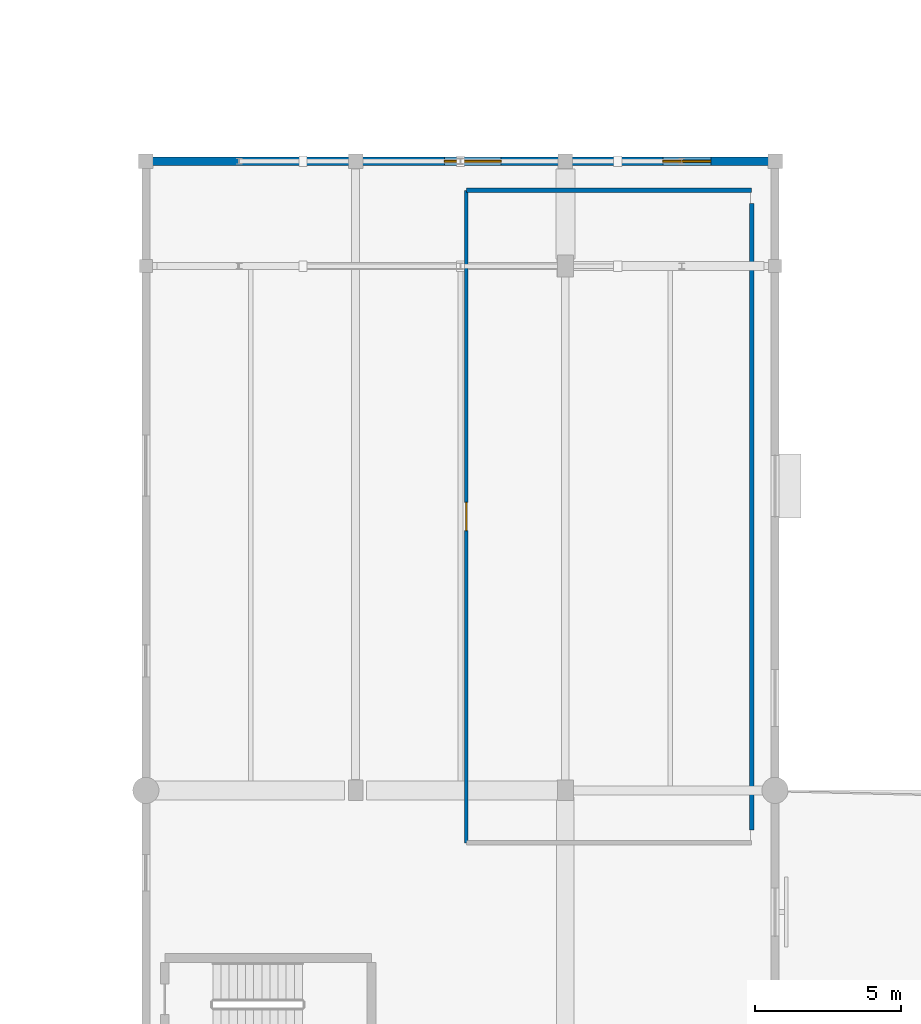
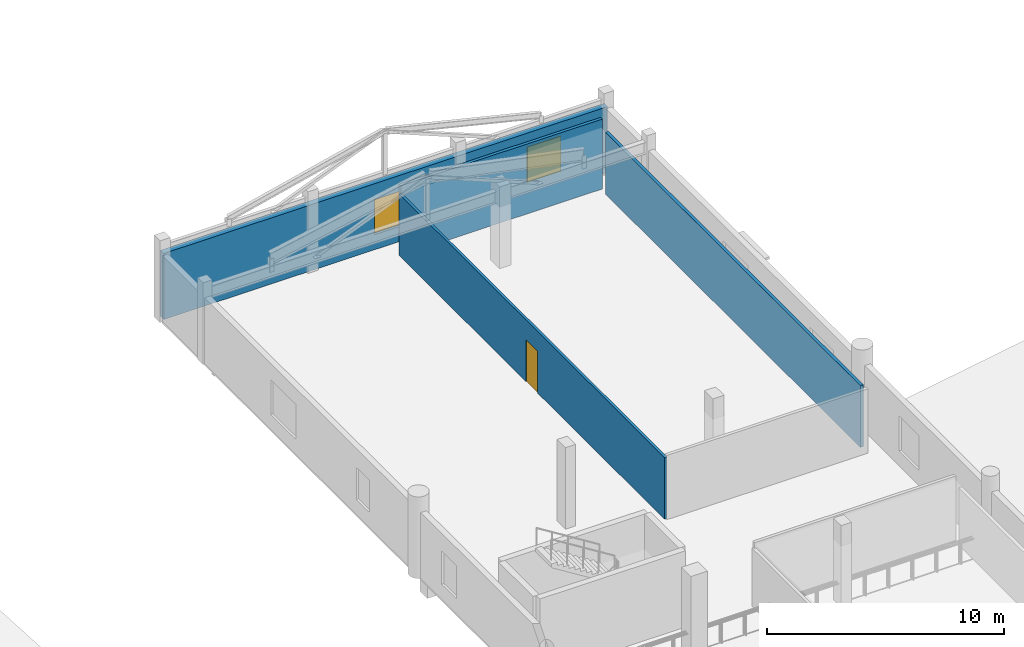
# One storey, part 77 of 90: 4 walls, 2 windows, 1 door, 3 openings.
"""IFC4 building model written with IfcOpenShell, lengths in metres."""

from ifc_helpers import new_model, si_unit, direction, frame, frame_2d, origin, place, context, subcontext, project, spatial, rectangle, extrude, material, layer, layer_set, type_object, element, fill, save


model = new_model("IFC4")

# Units and contexts
model_context = context("Model", 3, precision=1e-05, world=origin(), true_north=direction((0.0, 1.0)))
body_context = subcontext(model_context, "Body", "Model", "MODEL_VIEW")
ifc_project = project(units=[si_unit("LENGTHUNIT", "METRE"), si_unit("AREAUNIT", "SQUARE_METRE"), si_unit("VOLUMEUNIT", "CUBIC_METRE"), si_unit("PLANEANGLEUNIT", "RADIAN"), si_unit("MASSUNIT", "GRAM", prefix="KILO")], contexts=[model_context])

# Site, building, storey
site_placement = place(None, origin())
site = spatial("IfcSite", under=ifc_project, at=site_placement, CompositionType="ELEMENT")
building_placement = place(site_placement, origin())
building = spatial("IfcBuilding", under=site, at=building_placement, Name="Solanera Park Tramway Depot", CompositionType="ELEMENT")
storey_placement = place(building_placement, frame((0.0, 0.0, 9.0)))
storey = spatial("IfcBuildingStorey", under=building, at=storey_placement, Name="L02", CompositionType="ELEMENT", Elevation=9.0)

# Wall, opening, door
ifc_material_1 = material(Name="Concrete N32 (C32/40)", Category="concrete")
ifc_layer_1 = layer(ifc_material_1, 0.125)
ifc_layer_set_1 = layer_set([ifc_layer_1], Name="Concrete N32 (C32/40)")
wall_type_1 = type_object("IfcWallType", Name="Acoustic Partition 125", PredefinedType="PARTITIONING", material=ifc_layer_set_1)
wall_1_placement = place(storey_placement, frame((176.60009765625, 85.39990234375, 0.0), z_axis=(0.0, 0.0, 1.0), x_axis=(0.0, -1.0, 0.0)))
wall_1 = element("IfcWall", 1, at=wall_1_placement, inside=storey, type_object=wall_type_1, Name="Cybersecurity Operations SOC Suite Corridor Wall", PredefinedType="PARTITIONING", context=body_context, shape_type="SweptSolid", body=[
    extrude(rectangle(XDim=22.39990234375, YDim=0.125, at=frame_2d((11.199951171875, 0.0))), origin(), (0.0, 0.0, 1.0), 3.17431640625),
])
opening_1_placement = place(wall_1_placement, frame((10.715087890625, 0.0, 0.0)))
opening_1 = element("IfcOpeningElement", 2, at=opening_1_placement, cuts=wall_1, Name="Opening ID-O1R", PredefinedType="OPENING", context=body_context, shape_type="SweptSolid", body=[
    extrude(rectangle(XDim=0.969970703125, YDim=2.14990234375, at=frame_2d((0.48486328125, 1.074951171875))), frame((0.0, 0.072509765625, 0.0), z_axis=(0.0, -1.0, 0.0), x_axis=(1.0, 0.0, 0.0)), (0.0, 0.0, 1.0), 0.14501953125),
])
ifc_material_2 = material(Name="Fire-rated steel or solid-core hardwood door leaf", Category="steel")
door_type = type_object("IfcDoorType", Name="Office Single Door R 970x2150", OperationType="SINGLE_SWING_RIGHT", PredefinedType="DOOR", material=ifc_material_2)
door_placement = place(opening_1_placement, origin())
door = element("IfcDoor", 3, at=door_placement, inside=storey, type_object=door_type, Name="Cybersecurity Operations SOC Suite Door", OperationType="SINGLE_SWING_RIGHT", OverallHeight=2.14990234375, OverallWidth=0.969970703125, PredefinedType="DOOR", context=body_context, shape_type="SweptSolid", body=[
    extrude(rectangle(XDim=0.969970703125, YDim=2.14990234375, at=frame_2d((0.48486328125, 1.074951171875))), frame((0.0, 0.02490234375, 0.0), z_axis=(0.0, -1.0, 0.0), x_axis=(1.0, 0.0, 0.0)), (0.0, 0.0, 1.0), 0.050048828125),
])
fill(opening_1, door)

# Walls
ifc_material_3 = material(Name="Concrete N32 (C32/40)", Category="concrete")
ifc_layer_2 = layer(ifc_material_3, 0.14990234375)
ifc_layer_set_2 = layer_set([ifc_layer_2], Name="Concrete N32 (C32/40)")
wall_type_2 = type_object("IfcWallType", Name="Acoustic Partition 150", PredefinedType="PARTITIONING", material=ifc_layer_set_2)
wall_2_placement = place(storey_placement, frame((176.60009765625, 85.39990234375, 0.0), z_axis=(0.0, 0.0, 1.0), x_axis=(1.0, 0.0, 0.0)))
element("IfcWall", 4, at=wall_2_placement, inside=storey, type_object=wall_type_2, Name="Cybersecurity Operations SOC Suite Dividing Wall", PredefinedType="PARTITIONING", context=body_context, shape_type="SweptSolid", body=[
    extrude(rectangle(XDim=9.7998046875, YDim=0.14990234375, at=frame_2d((4.89990234375, 0.0))), origin(), (0.0, 0.0, 1.0), 3.60009765625),
])
wall_3_placement = place(storey_placement, frame((186.39990234375, 63.449951171875, 0.0), z_axis=(0.0, 0.0, 1.0), x_axis=(0.0, 1.0, 0.0)))
element("IfcWall", 5, at=wall_3_placement, inside=storey, type_object=wall_type_2, Name="Cybersecurity Operations SOC Suite Dividing Wall", PredefinedType="PARTITIONING", context=body_context, shape_type="SweptSolid", body=[
    extrude(rectangle(XDim=21.5, YDim=0.14990234375, at=frame_2d((10.75, 0.0))), origin(), (0.0, 0.0, 1.0), 3.17431640625),
])

# Wall, openings, windows
ifc_material_4 = material(Name="Concrete N32 (C32/40)", Category="concrete")
ifc_layer_3 = layer(ifc_material_4, 0.280029296875)
ifc_layer_set_3 = layer_set([ifc_layer_3], Name="Concrete N32 (C32/40)")
wall_type_3 = type_object("IfcWallType", Name="Ext Stucco Wall 280", PredefinedType="SOLIDWALL", material=ifc_layer_set_3)
wall_4_placement = place(storey_placement, frame((187.199951171875, 86.39990234375, 0.0), z_axis=(0.0, 0.0, 1.0), x_axis=(-1.0, 0.0, 0.0)))
wall_4 = element("IfcWall", 6, at=wall_4_placement, inside=storey, type_object=wall_type_3, Name="L02 Exterior Wall #032", PredefinedType="SOLIDWALL", context=body_context, shape_type="SweptSolid", body=[
    extrude(rectangle(XDim=21.599853515625, YDim=0.280029296875, at=frame_2d((10.7998046875, 0.0))), origin(), (0.0, 0.0, 1.0), 3.39990234375),
])
opening_2_placement = place(wall_4_placement, frame((2.199951171875, 0.0, 0.780029296875)))
opening_2 = element("IfcOpeningElement", 7, at=opening_2_placement, cuts=wall_4, Name="Opening WN-C16", PredefinedType="OPENING", context=body_context, shape_type="SweptSolid", body=[
    extrude(rectangle(XDim=1.64990234375, YDim=1.800048828125, at=frame_2d((0.824951171875, 0.89990234375))), frame((0.0, 0.14990234375, 0.0), z_axis=(0.0, -1.0, 0.0), x_axis=(1.0, 0.0, 0.0)), (0.0, 0.0, 1.0), 0.300048828125),
])
opening_3_placement = place(wall_4_placement, frame((9.39990234375, 0.0, 0.780029296875)))
opening_3 = element("IfcOpeningElement", 8, at=opening_3_placement, cuts=wall_4, Name="Opening WN-C19", PredefinedType="OPENING", context=body_context, shape_type="SweptSolid", body=[
    extrude(rectangle(XDim=1.949951171875, YDim=1.800048828125, at=frame_2d((0.97509765625, 0.89990234375))), frame((0.0, 0.14990234375, 0.0), z_axis=(0.0, -1.0, 0.0), x_axis=(1.0, 0.0, 0.0)), (0.0, 0.0, 1.0), 0.300048828125),
])
ifc_material_5 = material(Name="Powder-coated aluminium frame with solar-control double glazing", Category="aluminium")
window_type_1 = type_object("IfcWindowType", Name="Cloister Casement Window 1650x1800", PartitioningType="SINGLE_PANEL", PredefinedType="WINDOW", material=ifc_material_5)
window_1_placement = place(opening_2_placement, origin())
window_1 = element("IfcWindow", 9, at=window_1_placement, inside=storey, type_object=window_type_1, Name="L02 Cloister Casement Window 1650x1800 #0142", OverallHeight=1.800048828125, OverallWidth=1.64990234375, PartitioningType="SINGLE_PANEL", PredefinedType="WINDOW", context=body_context, shape_type="SweptSolid", body=[
    extrude(rectangle(XDim=1.64990234375, YDim=1.800048828125, at=frame_2d((0.824951171875, 0.89990234375))), frame((0.0, 0.030029296875, 0.0), z_axis=(0.0, -1.0, 0.0), x_axis=(1.0, 0.0, 0.0)), (0.0, 0.0, 1.0), 0.06005859375),
])
fill(opening_2, window_1)
ifc_material_6 = material(Name="Powder-coated aluminium frame with solar-control double glazing", Category="aluminium")
window_type_2 = type_object("IfcWindowType", Name="Cloister Casement Window 1950x1800", PartitioningType="SINGLE_PANEL", PredefinedType="WINDOW", material=ifc_material_6)
window_2_placement = place(opening_3_placement, origin())
window_2 = element("IfcWindow", 10, at=window_2_placement, inside=storey, type_object=window_type_2, Name="L02 Cloister Casement Window 1950x1800 #0143", OverallHeight=1.800048828125, OverallWidth=1.949951171875, PartitioningType="SINGLE_PANEL", PredefinedType="WINDOW", context=body_context, shape_type="SweptSolid", body=[
    extrude(rectangle(XDim=1.949951171875, YDim=1.800048828125, at=frame_2d((0.97509765625, 0.89990234375))), frame((0.0, 0.030029296875, 0.0), z_axis=(0.0, -1.0, 0.0), x_axis=(1.0, 0.0, 0.0)), (0.0, 0.0, 1.0), 0.06005859375),
])
fill(opening_3, window_2)

save(model, "model.ifc")
